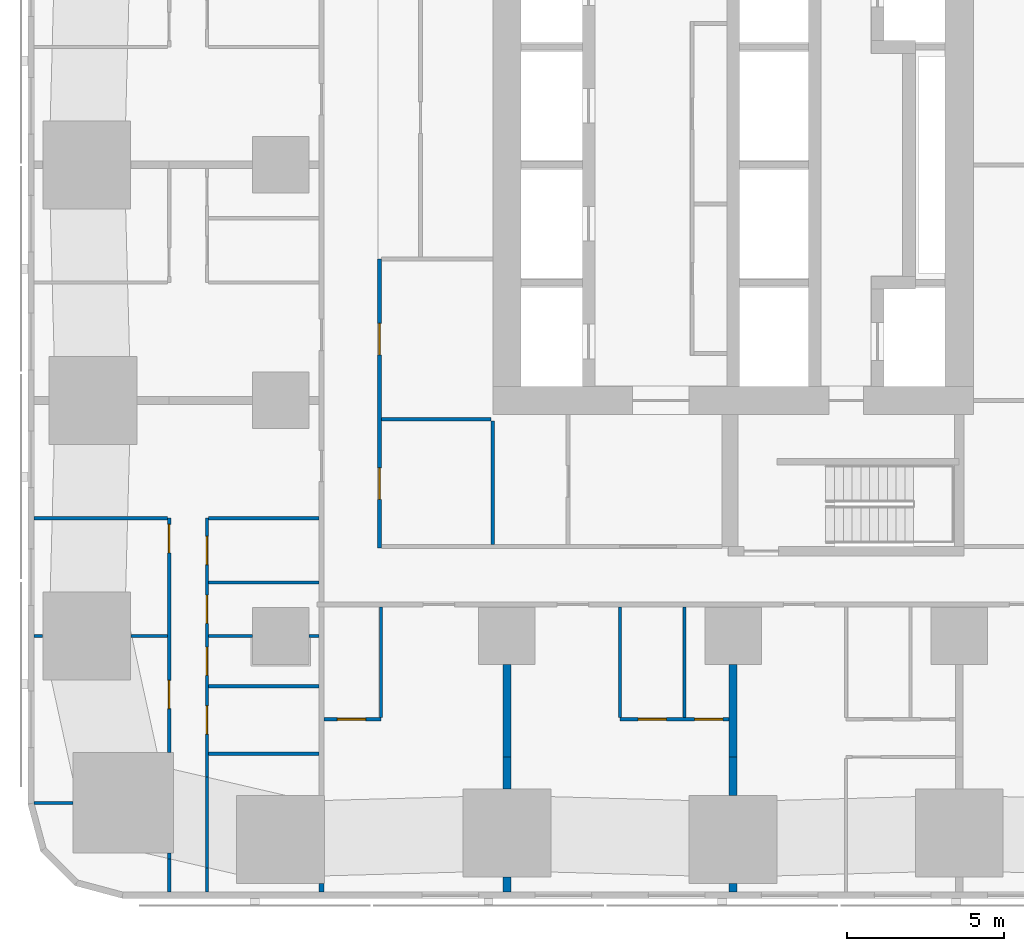
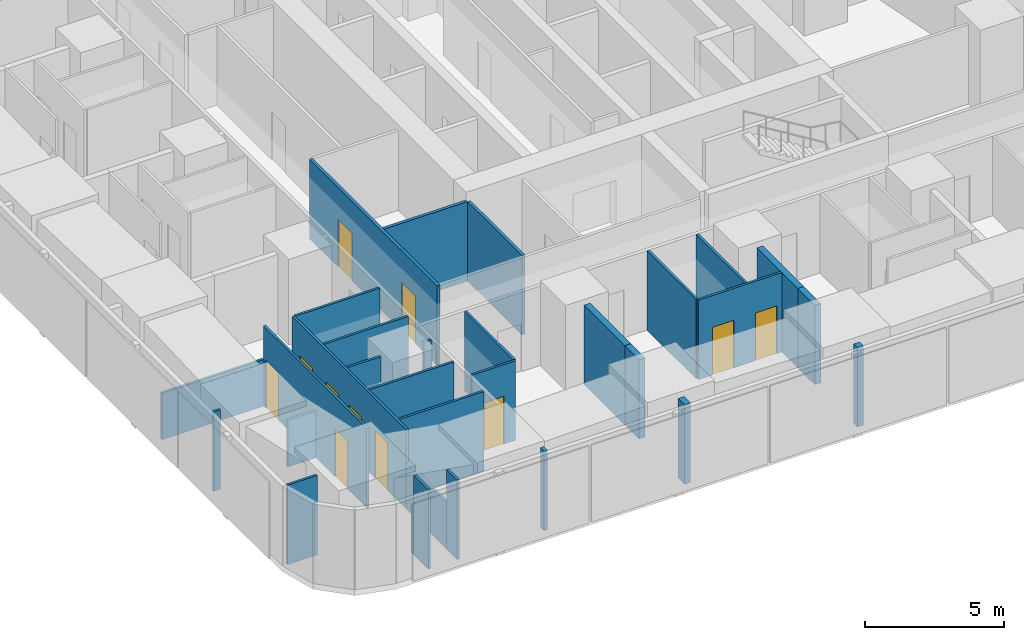
# One storey, part 2 of 15: 31 walls, 11 doors, 11 openings.
"""IFC4 building model written with IfcOpenShell, lengths in metres."""

from ifc_helpers import new_model, si_unit, direction, frame, frame_2d, origin, place, context, subcontext, project, spatial, rectangle, extrude, material, layer, layer_set, type_object, element, fill, save


model = new_model("IFC4")

# Units and contexts
model_context = context("Model", 3, precision=1e-05, world=origin(), true_north=direction((0.0, 1.0)))
body_context = subcontext(model_context, "Body", "Model", "MODEL_VIEW")
ifc_project = project(units=[si_unit("LENGTHUNIT", "METRE"), si_unit("AREAUNIT", "SQUARE_METRE"), si_unit("VOLUMEUNIT", "CUBIC_METRE"), si_unit("PLANEANGLEUNIT", "RADIAN"), si_unit("MASSUNIT", "GRAM", prefix="KILO")], contexts=[model_context])

# Site, building, storey
site_placement = place(None, origin())
site = spatial("IfcSite", under=ifc_project, at=site_placement, CompositionType="ELEMENT")
building_placement = place(site_placement, origin())
building = spatial("IfcBuilding", under=site, at=building_placement, Name="Sheger Commons Tower", CompositionType="ELEMENT")
storey_placement = place(building_placement, frame((0.0, 0.0, 46.25)))
storey = spatial("IfcBuildingStorey", under=building, at=storey_placement, Name="L11", CompositionType="ELEMENT", Elevation=46.25)

# Walls
ifc_material_1 = material(Name="Hollow concrete block masonry, skimmed both sides", Category="masonry")
ifc_layer_1 = layer(ifc_material_1, 0.14990234375)
ifc_layer_set_1 = layer_set([ifc_layer_1], Name="CORRIDOR WALL 150")
wall_type_1 = type_object("IfcWallType", Name="CORRIDOR WALL 150", PredefinedType="SOLIDWALL", material=ifc_layer_set_1)
wall_1_placement = place(storey_placement, frame((8.5, -0.64990234375, 0.0), z_axis=(0.0, 0.0, 1.0), x_axis=(0.0, 1.0, 0.0)))
element("IfcWall", 1, at=wall_1_placement, inside=storey, type_object=wall_type_1, Name="Corridor wall L11", PredefinedType="SOLIDWALL", context=body_context, shape_type="SweptSolid", body=[
    extrude(rectangle(XDim=0.27392578125, YDim=0.14990234375, at=frame_2d((0.136962890625, 0.0))), origin(), (0.0, 0.0, 1.0), 3.5),
])
ifc_material_2 = material(Name="Dense concrete block masonry, plastered both sides (separating wall between flats)", Category="masonry")
ifc_layer_2 = layer(ifc_material_2, 0.25)
ifc_layer_set_2 = layer_set([ifc_layer_2], Name="DEMISING WALL 250")
wall_type_2 = type_object("IfcWallType", Name="DEMISING WALL 250", PredefinedType="SOLIDWALL", material=ifc_layer_set_2)
wall_2_placement = place(storey_placement, frame((14.39990234375, -0.64990234375, 0.0), z_axis=(0.0, 0.0, 1.0), x_axis=(0.0, 1.0, 0.0)))
element("IfcWall", 2, at=wall_2_placement, inside=storey, type_object=wall_type_2, Name="Demising wall L11", PredefinedType="SOLIDWALL", context=body_context, shape_type="SweptSolid", body=[
    extrude(rectangle(XDim=0.473876953125, YDim=0.25, at=frame_2d((0.23681640625, 0.0))), origin(), (0.0, 0.0, 1.0), 3.5),
])
wall_3_placement = place(storey_placement, frame((14.39990234375, 2.6259765625, 0.0), z_axis=(0.0, 0.0, 1.0), x_axis=(0.0, 1.0, 0.0)))
element("IfcWall", 3, at=wall_3_placement, inside=storey, type_object=wall_type_2, Name="Demising wall L11", PredefinedType="SOLIDWALL", context=body_context, shape_type="SweptSolid", body=[
    extrude(rectangle(XDim=1.02392578125, YDim=0.25, at=frame_2d((0.511962890625, 0.0))), origin(), (0.0, 0.0, 1.0), 3.5),
])
wall_4_placement = place(storey_placement, frame((14.39990234375, 3.64990234375, 0.0), z_axis=(0.0, 0.0, 1.0), x_axis=(0.0, 1.0, 0.0)))
element("IfcWall", 4, at=wall_4_placement, inside=storey, type_object=wall_type_2, Name="Demising wall L11", PredefinedType="SOLIDWALL", context=body_context, shape_type="SweptSolid", body=[
    extrude(rectangle(XDim=2.94921875, YDim=0.25, at=frame_2d((1.474609375, 0.0))), origin(), (0.0, 0.0, 1.0), 3.5),
])
wall_5_placement = place(storey_placement, frame((21.60009765625, -0.64990234375, 0.0), z_axis=(0.0, 0.0, 1.0), x_axis=(0.0, 1.0, 0.0)))
element("IfcWall", 5, at=wall_5_placement, inside=storey, type_object=wall_type_2, Name="Demising wall L11", PredefinedType="SOLIDWALL", context=body_context, shape_type="SweptSolid", body=[
    extrude(rectangle(XDim=0.27392578125, YDim=0.25, at=frame_2d((0.136962890625, 0.0))), origin(), (0.0, 0.0, 1.0), 3.5),
])
wall_6_placement = place(storey_placement, frame((21.60009765625, 2.426025390625, 0.0), z_axis=(0.0, 0.0, 1.0), x_axis=(0.0, 1.0, 0.0)))
element("IfcWall", 6, at=wall_6_placement, inside=storey, type_object=wall_type_2, Name="Demising wall L11", PredefinedType="SOLIDWALL", context=body_context, shape_type="SweptSolid", body=[
    extrude(rectangle(XDim=1.223876953125, YDim=0.25, at=frame_2d((0.61181640625, 0.0))), origin(), (0.0, 0.0, 1.0), 3.5),
])
wall_7_placement = place(storey_placement, frame((21.60009765625, 3.64990234375, 0.0), z_axis=(0.0, 0.0, 1.0), x_axis=(0.0, 1.0, 0.0)))
element("IfcWall", 7, at=wall_7_placement, inside=storey, type_object=wall_type_2, Name="Demising wall L11", PredefinedType="SOLIDWALL", context=body_context, shape_type="SweptSolid", body=[
    extrude(rectangle(XDim=2.94921875, YDim=0.25, at=frame_2d((1.474609375, 0.0))), origin(), (0.0, 0.0, 1.0), 3.5),
])
ifc_material_3 = material(Name="Gypsum board on steel studs", Category="steel")
ifc_layer_3 = layer(ifc_material_3, 0.10009765625)
ifc_layer_set_3 = layer_set([ifc_layer_3], Name="PARTITION 100")
wall_type_3 = type_object("IfcWallType", Name="PARTITION 100", PredefinedType="PARTITIONING", material=ifc_layer_set_3)
wall_8_placement = place(storey_placement, frame((3.64990234375, -0.64990234375, 0.0), z_axis=(0.0, 0.0, 1.0), x_axis=(0.0, 1.0, 0.0)))
element("IfcWall", 8, at=wall_8_placement, inside=storey, type_object=wall_type_3, Name="Partition L11", PredefinedType="PARTITIONING", context=body_context, shape_type="SweptSolid", body=[
    extrude(rectangle(XDim=1.0478515625, YDim=0.10009765625, at=frame_2d((0.52392578125, 0.0))), origin(), (0.0, 0.0, 1.0), 3.5),
])
wall_9_placement = place(storey_placement, frame((3.64990234375, 0.39794921875, 0.0), z_axis=(0.0, 0.0, 1.0), x_axis=(0.0, 1.0, 0.0)))
element("IfcWall", 9, at=wall_9_placement, inside=storey, type_object=wall_type_3, Name="Partition L11", PredefinedType="PARTITIONING", context=body_context, shape_type="SweptSolid", body=[
    extrude(rectangle(XDim=0.18701171875, YDim=0.10009765625, at=frame_2d((0.093505859375, 0.0))), origin(), (0.0, 0.0, 1.0), 2.050048828125),
])

# Wall, openings, doors
wall_10_placement = place(storey_placement, frame((3.64990234375, 3.787109375, 0.0), z_axis=(0.0, 0.0, 1.0), x_axis=(0.0, 1.0, 0.0)))
wall_10 = element("IfcWall", 10, at=wall_10_placement, inside=storey, type_object=wall_type_3, Name="Partition L11", PredefinedType="PARTITIONING", context=body_context, shape_type="SweptSolid", body=[
    extrude(rectangle(XDim=7.462890625, YDim=0.10009765625, at=frame_2d((3.7314453125, 0.0))), origin(), (0.0, 0.0, 1.0), 3.5),
])
opening_1_placement = place(wall_10_placement, frame((6.363037109375, 0.0, 0.0)))
opening_1 = element("IfcOpeningElement", 11, at=opening_1_placement, cuts=wall_10, Name="Opening D2", PredefinedType="OPENING", context=body_context, shape_type="SweptSolid", body=[
    extrude(rectangle(XDim=0.89990234375, YDim=2.10009765625, at=frame_2d((0.449951171875, 1.050048828125))), frame((0.0, 0.06005859375, 0.0), z_axis=(0.0, -1.0, 0.0), x_axis=(1.0, 0.0, 0.0)), (0.0, 0.0, 1.0), 0.1201171875),
])
opening_2_placement = place(wall_10_placement, frame((1.39990234375, 0.0, 0.0)))
opening_2 = element("IfcOpeningElement", 12, at=opening_2_placement, cuts=wall_10, Name="Opening D2", PredefinedType="OPENING", context=body_context, shape_type="SweptSolid", body=[
    extrude(rectangle(XDim=0.89990234375, YDim=2.10009765625, at=frame_2d((0.449951171875, 1.050048828125))), frame((0.0, 0.06005859375, 0.0), z_axis=(0.0, -1.0, 0.0), x_axis=(1.0, 0.0, 0.0)), (0.0, 0.0, 1.0), 0.1201171875),
])
ifc_material_4 = material(Name="Timber door set", Category="wood")
door_type_1 = type_object("IfcDoorType", Name="INTERNAL DOOR 900x2100", OperationType="NOTDEFINED", PredefinedType="DOOR", material=ifc_material_4)
door_1_placement = place(opening_1_placement, origin())
door_1 = element("IfcDoor", 13, at=door_1_placement, inside=storey, type_object=door_type_1, Name="Main bedroom door", OperationType="SINGLE_SWING_RIGHT", OverallHeight=2.10009765625, OverallWidth=0.89990234375, PredefinedType="DOOR", context=body_context, shape_type="SweptSolid", body=[
    extrude(rectangle(XDim=0.89990234375, YDim=2.10009765625, at=frame_2d((0.449951171875, 1.050048828125))), frame((0.0, 0.02490234375, 0.0), z_axis=(0.0, -1.0, 0.0), x_axis=(1.0, 0.0, 0.0)), (0.0, 0.0, 1.0), 0.050048828125),
])
fill(opening_1, door_1)
door_2_placement = place(opening_2_placement, origin())
door_2 = element("IfcDoor", 14, at=door_2_placement, inside=storey, type_object=door_type_1, Name="Bedroom 2 door", OperationType="SINGLE_SWING_LEFT", OverallHeight=2.10009765625, OverallWidth=0.89990234375, PredefinedType="DOOR", context=body_context, shape_type="SweptSolid", body=[
    extrude(rectangle(XDim=0.89990234375, YDim=2.10009765625, at=frame_2d((0.449951171875, 1.050048828125))), frame((0.0, 0.02490234375, 0.0), z_axis=(0.0, -1.0, 0.0), x_axis=(1.0, 0.0, 0.0)), (0.0, 0.0, 1.0), 0.050048828125),
])
fill(opening_2, door_2)

# Walls
wall_11_placement = place(storey_placement, frame((4.85009765625, -0.64990234375, 0.0), z_axis=(0.0, 0.0, 1.0), x_axis=(0.0, 1.0, 0.0)))
element("IfcWall", 15, at=wall_11_placement, inside=storey, type_object=wall_type_3, Name="Partition L11", PredefinedType="PARTITIONING", context=body_context, shape_type="SweptSolid", body=[
    extrude(rectangle(XDim=0.77099609375, YDim=0.10009765625, at=frame_2d((0.385498046875, 0.0))), origin(), (0.0, 0.0, 1.0), 3.5),
])
wall_12_placement = place(storey_placement, frame((4.85009765625, 0.12109375, 0.0), z_axis=(0.0, 0.0, 1.0), x_axis=(0.0, 1.0, 0.0)))
element("IfcWall", 16, at=wall_12_placement, inside=storey, type_object=wall_type_3, Name="Partition L11", PredefinedType="PARTITIONING", context=body_context, shape_type="SweptSolid", body=[
    extrude(rectangle(XDim=2.89697265625, YDim=0.10009765625, at=frame_2d((1.448486328125, 0.0))), origin(), (0.0, 0.0, 1.0), 2.050048828125),
])

# Wall, openings, doors
wall_13_placement = place(storey_placement, frame((4.85009765625, 3.01806640625, 0.0), z_axis=(0.0, 0.0, 1.0), x_axis=(0.0, 1.0, 0.0)))
wall_13 = element("IfcWall", 17, at=wall_13_placement, inside=storey, type_object=wall_type_3, Name="Partition L11", PredefinedType="PARTITIONING", context=body_context, shape_type="SweptSolid", body=[
    extrude(rectangle(XDim=8.23193359375, YDim=0.10009765625, at=frame_2d((4.115966796875, 0.0))), origin(), (0.0, 0.0, 1.0), 3.5),
])
opening_3_placement = place(wall_13_placement, frame((6.757080078125, 0.0, 0.0)))
opening_3 = element("IfcOpeningElement", 18, at=opening_3_placement, cuts=wall_13, Name="Opening D2", PredefinedType="OPENING", context=body_context, shape_type="SweptSolid", body=[
    extrude(rectangle(XDim=0.89990234375, YDim=2.10009765625, at=frame_2d((0.449951171875, 1.050048828125))), frame((0.0, 0.06005859375, 0.0), z_axis=(0.0, -1.0, 0.0), x_axis=(1.0, 0.0, 0.0)), (0.0, 0.0, 1.0), 0.1201171875),
])
opening_4_placement = place(wall_13_placement, frame((3.23193359375, 0.0, 0.0)))
opening_4 = element("IfcOpeningElement", 19, at=opening_4_placement, cuts=wall_13, Name="Opening D2", PredefinedType="OPENING", context=body_context, shape_type="SweptSolid", body=[
    extrude(rectangle(XDim=0.89990234375, YDim=2.10009765625, at=frame_2d((0.449951171875, 1.050048828125))), frame((0.0, 0.06005859375, 0.0), z_axis=(0.0, -1.0, 0.0), x_axis=(1.0, 0.0, 0.0)), (0.0, 0.0, 1.0), 0.1201171875),
])
opening_5_placement = place(wall_13_placement, frame((4.882080078125, 0.0, 0.0)))
opening_5 = element("IfcOpeningElement", 20, at=opening_5_placement, cuts=wall_13, Name="Opening D2", PredefinedType="OPENING", context=body_context, shape_type="SweptSolid", body=[
    extrude(rectangle(XDim=0.89990234375, YDim=2.10009765625, at=frame_2d((0.449951171875, 1.050048828125))), frame((0.0, 0.06005859375, 0.0), z_axis=(0.0, -1.0, 0.0), x_axis=(1.0, 0.0, 0.0)), (0.0, 0.0, 1.0), 0.1201171875),
])
opening_6_placement = place(wall_13_placement, frame((1.35693359375, 0.0, 0.0)))
opening_6 = element("IfcOpeningElement", 21, at=opening_6_placement, cuts=wall_13, Name="Opening D2", PredefinedType="OPENING", context=body_context, shape_type="SweptSolid", body=[
    extrude(rectangle(XDim=0.89990234375, YDim=2.10009765625, at=frame_2d((0.449951171875, 1.050048828125))), frame((0.0, 0.06005859375, 0.0), z_axis=(0.0, -1.0, 0.0), x_axis=(1.0, 0.0, 0.0)), (0.0, 0.0, 1.0), 0.1201171875),
])
door_3_placement = place(opening_3_placement, origin())
door_3 = element("IfcDoor", 22, at=door_3_placement, inside=storey, type_object=door_type_1, Name="Bathroom door", OperationType="SINGLE_SWING_LEFT", OverallHeight=2.10009765625, OverallWidth=0.89990234375, PredefinedType="DOOR", context=body_context, shape_type="SweptSolid", body=[
    extrude(rectangle(XDim=0.89990234375, YDim=2.10009765625, at=frame_2d((0.449951171875, 1.050048828125))), frame((0.0, 0.02490234375, 0.0), z_axis=(0.0, -1.0, 0.0), x_axis=(1.0, 0.0, 0.0)), (0.0, 0.0, 1.0), 0.050048828125),
])
fill(opening_3, door_3)
door_4_placement = place(opening_4_placement, origin())
door_4 = element("IfcDoor", 23, at=door_4_placement, inside=storey, type_object=door_type_1, Name="Shower room door", OperationType="SINGLE_SWING_LEFT", OverallHeight=2.10009765625, OverallWidth=0.89990234375, PredefinedType="DOOR", context=body_context, shape_type="SweptSolid", body=[
    extrude(rectangle(XDim=0.89990234375, YDim=2.10009765625, at=frame_2d((0.449951171875, 1.050048828125))), frame((0.0, 0.02490234375, 0.0), z_axis=(0.0, -1.0, 0.0), x_axis=(1.0, 0.0, 0.0)), (0.0, 0.0, 1.0), 0.050048828125),
])
fill(opening_4, door_4)
door_5_placement = place(opening_5_placement, origin())
door_5 = element("IfcDoor", 24, at=door_5_placement, inside=storey, type_object=door_type_1, Name="Store door", OperationType="SINGLE_SWING_LEFT", OverallHeight=2.10009765625, OverallWidth=0.89990234375, PredefinedType="DOOR", context=body_context, shape_type="SweptSolid", body=[
    extrude(rectangle(XDim=0.89990234375, YDim=2.10009765625, at=frame_2d((0.449951171875, 1.050048828125))), frame((0.0, 0.02490234375, 0.0), z_axis=(0.0, -1.0, 0.0), x_axis=(1.0, 0.0, 0.0)), (0.0, 0.0, 1.0), 0.050048828125),
])
fill(opening_5, door_5)
door_6_placement = place(opening_6_placement, origin())
door_6 = element("IfcDoor", 25, at=door_6_placement, inside=storey, type_object=door_type_1, Name="Store door", OperationType="SINGLE_SWING_RIGHT", OverallHeight=2.10009765625, OverallWidth=0.89990234375, PredefinedType="DOOR", context=body_context, shape_type="SweptSolid", body=[
    extrude(rectangle(XDim=0.89990234375, YDim=2.10009765625, at=frame_2d((0.449951171875, 1.050048828125))), frame((0.0, 0.02490234375, 0.0), z_axis=(0.0, -1.0, 0.0), x_axis=(1.0, 0.0, 0.0)), (0.0, 0.0, 1.0), 0.050048828125),
])
fill(opening_6, door_6)

# Walls
wall_14_placement = place(storey_placement, frame((-0.64990234375, 2.18603515625, 0.0), z_axis=(0.0, 0.0, 1.0), x_axis=(1.0, 0.0, 0.0)))
element("IfcWall", 26, at=wall_14_placement, inside=storey, type_object=wall_type_3, Name="Partition L11", PredefinedType="PARTITIONING", context=body_context, shape_type="SweptSolid", body=[
    extrude(rectangle(XDim=1.23486328125, YDim=0.10009765625, at=frame_2d((0.617431640625, 0.0))), origin(), (0.0, 0.0, 1.0), 3.5),
])
wall_15_placement = place(storey_placement, frame((-0.64990234375, 7.5, 0.0), z_axis=(0.0, 0.0, 1.0), x_axis=(1.0, 0.0, 0.0)))
element("IfcWall", 27, at=wall_15_placement, inside=storey, type_object=wall_type_3, Name="Partition L11", PredefinedType="PARTITIONING", context=body_context, shape_type="SweptSolid", body=[
    extrude(rectangle(XDim=0.27392578125, YDim=0.10009765625, at=frame_2d((0.136962890625, 0.0))), origin(), (0.0, 0.0, 1.0), 3.5),
])
wall_16_placement = place(storey_placement, frame((2.426025390625, 7.5, 0.0), z_axis=(0.0, 0.0, 1.0), x_axis=(1.0, 0.0, 0.0)))
element("IfcWall", 28, at=wall_16_placement, inside=storey, type_object=wall_type_3, Name="Partition L11", PredefinedType="PARTITIONING", context=body_context, shape_type="SweptSolid", body=[
    extrude(rectangle(XDim=1.174072265625, YDim=0.10009765625, at=frame_2d((0.5869140625, 0.0))), origin(), (0.0, 0.0, 1.0), 2.050048828125),
])
wall_17_placement = place(storey_placement, frame((-0.64990234375, 11.25, 0.0), z_axis=(0.0, 0.0, 1.0), x_axis=(1.0, 0.0, 0.0)))
element("IfcWall", 29, at=wall_17_placement, inside=storey, type_object=wall_type_3, Name="Partition L11", PredefinedType="PARTITIONING", context=body_context, shape_type="SweptSolid", body=[
    extrude(rectangle(XDim=4.25, YDim=0.10009765625, at=frame_2d((2.125, 0.0))), origin(), (0.0, 0.0, 1.0), 2.050048828125),
])
wall_18_placement = place(storey_placement, frame((4.89990234375, 3.75, 0.0), z_axis=(0.0, 0.0, 1.0), x_axis=(1.0, 0.0, 0.0)))
element("IfcWall", 30, at=wall_18_placement, inside=storey, type_object=wall_type_3, Name="Partition L11", PredefinedType="PARTITIONING", context=body_context, shape_type="SweptSolid", body=[
    extrude(rectangle(XDim=3.525146484375, YDim=0.10009765625, at=frame_2d((1.7626953125, 0.0))), origin(), (0.0, 0.0, 1.0), 3.5),
])
wall_19_placement = place(storey_placement, frame((4.89990234375, 7.5, 0.0), z_axis=(0.0, 0.0, 1.0), x_axis=(1.0, 0.0, 0.0)))
element("IfcWall", 31, at=wall_19_placement, inside=storey, type_object=wall_type_3, Name="Partition L11", PredefinedType="PARTITIONING", context=body_context, shape_type="SweptSolid", body=[
    extrude(rectangle(XDim=1.399169921875, YDim=0.10009765625, at=frame_2d((0.69970703125, 0.0))), origin(), (0.0, 0.0, 1.0), 3.5),
])
wall_20_placement = place(storey_placement, frame((8.10107421875, 7.5, 0.0), z_axis=(0.0, 0.0, 1.0), x_axis=(1.0, 0.0, 0.0)))
element("IfcWall", 32, at=wall_20_placement, inside=storey, type_object=wall_type_3, Name="Partition L11", PredefinedType="PARTITIONING", context=body_context, shape_type="SweptSolid", body=[
    extrude(rectangle(XDim=0.323974609375, YDim=0.10009765625, at=frame_2d((0.162109375, 0.0))), origin(), (0.0, 0.0, 1.0), 3.5),
])
for number, where, z_axis, x_axis, name in (
    (33, (4.89990234375, 11.25, 0.0), (0.0, 0.0, 1.0), (1.0, 0.0, 0.0), "Partition L11"),
    (34, (4.89990234375, 9.199951171875, 0.0), (0.0, 0.0, 1.0), (1.0, 0.0, 0.0), "Partition L11"),
    (35, (4.89990234375, 5.89990234375, 0.0), (0.0, 0.0, 1.0), (1.0, 0.0, 0.0), "Partition L11"),
):
    element("IfcWall", number, at=place(storey_placement, frame(where, z_axis=z_axis, x_axis=x_axis)), inside=storey, type_object=wall_type_3, Name=name, PredefinedType="PARTITIONING", context=body_context, shape_type="SweptSolid", body=[
        extrude(rectangle(XDim=3.525146484375, YDim=0.10009765625, at=frame_2d((1.7626953125, 0.0))), origin(), (0.0, 0.0, 1.0), 3.5),
    ])

# Wall, opening, door
wall_21_placement = place(storey_placement, frame((10.389892578125, 4.85009765625, 0.0), z_axis=(0.0, 0.0, 1.0), x_axis=(-1.0, 0.0, 0.0)))
wall_21 = element("IfcWall", 36, at=wall_21_placement, inside=storey, type_object=wall_type_3, Name="Partition L11", PredefinedType="PARTITIONING", context=body_context, shape_type="SweptSolid", body=[
    extrude(rectangle(XDim=1.81494140625, YDim=0.10009765625, at=frame_2d((0.907470703125, 0.0))), origin(), (0.0, 0.0, 1.0), 3.5),
])
opening_7_placement = place(wall_21_placement, frame((0.489990234375, 0.0, 0.0)))
opening_7 = element("IfcOpeningElement", 37, at=opening_7_placement, cuts=wall_21, Name="Opening D2", PredefinedType="OPENING", context=body_context, shape_type="SweptSolid", body=[
    extrude(rectangle(XDim=0.89990234375, YDim=2.10009765625, at=frame_2d((0.449951171875, 1.050048828125))), frame((0.0, 0.06005859375, 0.0), z_axis=(0.0, -1.0, 0.0), x_axis=(1.0, 0.0, 0.0)), (0.0, 0.0, 1.0), 0.1201171875),
])
door_7_placement = place(opening_7_placement, origin())
door_7 = element("IfcDoor", 38, at=door_7_placement, inside=storey, type_object=door_type_1, Name="Shower room door", OperationType="SINGLE_SWING_LEFT", OverallHeight=2.10009765625, OverallWidth=0.89990234375, PredefinedType="DOOR", context=body_context, shape_type="SweptSolid", body=[
    extrude(rectangle(XDim=0.89990234375, YDim=2.10009765625, at=frame_2d((0.449951171875, 1.050048828125))), frame((0.0, 0.02490234375, 0.0), z_axis=(0.0, -1.0, 0.0), x_axis=(1.0, 0.0, 0.0)), (0.0, 0.0, 1.0), 0.050048828125),
])
fill(opening_7, door_7)

# Wall
wall_22_placement = place(storey_placement, frame((10.389892578125, 4.89990234375, 0.0), z_axis=(0.0, 0.0, 1.0), x_axis=(0.0, 1.0, 0.0)))
element("IfcWall", 39, at=wall_22_placement, inside=storey, type_object=wall_type_3, Name="Partition L11", PredefinedType="PARTITIONING", context=body_context, shape_type="SweptSolid", body=[
    extrude(rectangle(XDim=3.525146484375, YDim=0.10009765625, at=frame_2d((1.7626953125, 0.0))), origin(), (0.0, 0.0, 1.0), 3.5),
])

# Wall, openings, doors
wall_23_placement = place(storey_placement, frame((21.47509765625, 4.85009765625, 0.0), z_axis=(0.0, 0.0, 1.0), x_axis=(-1.0, 0.0, 0.0)))
wall_23 = element("IfcWall", 40, at=wall_23_placement, inside=storey, type_object=wall_type_3, Name="Partition L11", PredefinedType="PARTITIONING", context=body_context, shape_type="SweptSolid", body=[
    extrude(rectangle(XDim=3.47509765625, YDim=0.10009765625, at=frame_2d((1.737548828125, 0.0))), origin(), (0.0, 0.0, 1.0), 3.5),
])
opening_8_placement = place(wall_23_placement, frame((2.0, 0.0, 0.0)))
opening_8 = element("IfcOpeningElement", 41, at=opening_8_placement, cuts=wall_23, Name="Opening D2", PredefinedType="OPENING", context=body_context, shape_type="SweptSolid", body=[
    extrude(rectangle(XDim=0.89990234375, YDim=2.10009765625, at=frame_2d((0.449951171875, 1.050048828125))), frame((0.0, 0.06005859375, 0.0), z_axis=(0.0, -1.0, 0.0), x_axis=(1.0, 0.0, 0.0)), (0.0, 0.0, 1.0), 0.1201171875),
])
opening_9_placement = place(wall_23_placement, frame((0.199951171875, 0.0, 0.0)))
opening_9 = element("IfcOpeningElement", 42, at=opening_9_placement, cuts=wall_23, Name="Opening D2", PredefinedType="OPENING", context=body_context, shape_type="SweptSolid", body=[
    extrude(rectangle(XDim=0.89990234375, YDim=2.10009765625, at=frame_2d((0.449951171875, 1.050048828125))), frame((0.0, 0.06005859375, 0.0), z_axis=(0.0, -1.0, 0.0), x_axis=(1.0, 0.0, 0.0)), (0.0, 0.0, 1.0), 0.1201171875),
])
door_8_placement = place(opening_8_placement, origin())
door_8 = element("IfcDoor", 43, at=door_8_placement, inside=storey, type_object=door_type_1, Name="Bathroom door", OperationType="SINGLE_SWING_LEFT", OverallHeight=2.10009765625, OverallWidth=0.89990234375, PredefinedType="DOOR", context=body_context, shape_type="SweptSolid", body=[
    extrude(rectangle(XDim=0.89990234375, YDim=2.10009765625, at=frame_2d((0.449951171875, 1.050048828125))), frame((0.0, 0.02490234375, 0.0), z_axis=(0.0, -1.0, 0.0), x_axis=(1.0, 0.0, 0.0)), (0.0, 0.0, 1.0), 0.050048828125),
])
fill(opening_8, door_8)
door_9_placement = place(opening_9_placement, origin())
door_9 = element("IfcDoor", 44, at=door_9_placement, inside=storey, type_object=door_type_1, Name="Store door", OperationType="SINGLE_SWING_RIGHT", OverallHeight=2.10009765625, OverallWidth=0.89990234375, PredefinedType="DOOR", context=body_context, shape_type="SweptSolid", body=[
    extrude(rectangle(XDim=0.89990234375, YDim=2.10009765625, at=frame_2d((0.449951171875, 1.050048828125))), frame((0.0, 0.02490234375, 0.0), z_axis=(0.0, -1.0, 0.0), x_axis=(1.0, 0.0, 0.0)), (0.0, 0.0, 1.0), 0.050048828125),
])
fill(opening_9, door_9)

# Walls
for number, where, z_axis, x_axis, name in (
    (45, (18.0, 4.89990234375, 0.0), (0.0, 0.0, 1.0), (0.0, 1.0, 0.0), "Partition L11"),
    (46, (20.050048828125, 4.89990234375, 0.0), (0.0, 0.0, 1.0), (0.0, 1.0, 0.0), "Partition L11"),
):
    element("IfcWall", number, at=place(storey_placement, frame(where, z_axis=z_axis, x_axis=x_axis)), inside=storey, type_object=wall_type_3, Name=name, PredefinedType="PARTITIONING", context=body_context, shape_type="SweptSolid", body=[
        extrude(rectangle(XDim=3.525146484375, YDim=0.10009765625, at=frame_2d((1.7626953125, 0.0))), origin(), (0.0, 0.0, 1.0), 3.5),
    ])

# Wall, openings, doors
ifc_material_5 = material(Name="Gypsum board on steel studs, two layers each side, fire rated", Category="steel")
ifc_layer_4 = layer(ifc_material_5, 0.125)
ifc_layer_set_4 = layer_set([ifc_layer_4], Name="SERVICE WALL 125")
wall_type_4 = type_object("IfcWallType", Name="SERVICE WALL 125", PredefinedType="PARTITIONING", material=ifc_layer_set_4)
wall_24_placement = place(storey_placement, frame((10.35009765625, 10.300048828125, 0.0), z_axis=(0.0, 0.0, 1.0), x_axis=(0.0, 1.0, 0.0)))
wall_24 = element("IfcWall", 47, at=wall_24_placement, inside=storey, type_object=wall_type_4, Name="Service room wall L11", PredefinedType="PARTITIONING", context=body_context, shape_type="SweptSolid", body=[
    extrude(rectangle(XDim=9.199951171875, YDim=0.125, at=frame_2d((4.60009765625, 0.0))), origin(), (0.0, 0.0, 1.0), 3.5),
])
opening_10_placement = place(wall_24_placement, frame((1.550048828125, 0.0, 0.0)))
opening_10 = element("IfcOpeningElement", 48, at=opening_10_placement, cuts=wall_24, Name="Opening D4", PredefinedType="OPENING", context=body_context, shape_type="SweptSolid", body=[
    extrude(rectangle(XDim=1.0, YDim=2.10009765625, at=frame_2d((0.5, 1.050048828125))), frame((0.0, 0.072509765625, 0.0), z_axis=(0.0, -1.0, 0.0), x_axis=(1.0, 0.0, 0.0)), (0.0, 0.0, 1.0), 0.14501953125),
])
opening_11_placement = place(wall_24_placement, frame((6.14990234375, 0.0, 0.0)))
opening_11 = element("IfcOpeningElement", 49, at=opening_11_placement, cuts=wall_24, Name="Opening D4", PredefinedType="OPENING", context=body_context, shape_type="SweptSolid", body=[
    extrude(rectangle(XDim=1.0, YDim=2.10009765625, at=frame_2d((0.5, 1.050048828125))), frame((0.0, 0.072509765625, 0.0), z_axis=(0.0, -1.0, 0.0), x_axis=(1.0, 0.0, 0.0)), (0.0, 0.0, 1.0), 0.14501953125),
])
ifc_material_6 = material(Name="Steel door set, fire rated", Category="steel")
door_type_2 = type_object("IfcDoorType", Name="SERVICE DOOR 1000x2100", OperationType="NOTDEFINED", PredefinedType="DOOR", material=ifc_material_6)
door_10_placement = place(opening_10_placement, origin())
door_10 = element("IfcDoor", 50, at=door_10_placement, inside=storey, type_object=door_type_2, Name="Refuse chute room door", OperationType="SINGLE_SWING_RIGHT", OverallHeight=2.10009765625, OverallWidth=1.0, PredefinedType="DOOR", context=body_context, shape_type="SweptSolid", body=[
    extrude(rectangle(XDim=1.0, YDim=2.10009765625, at=frame_2d((0.5, 1.050048828125))), frame((0.0, 0.02490234375, 0.0), z_axis=(0.0, -1.0, 0.0), x_axis=(1.0, 0.0, 0.0)), (0.0, 0.0, 1.0), 0.050048828125),
])
fill(opening_10, door_10)
door_11_placement = place(opening_11_placement, origin())
door_11 = element("IfcDoor", 51, at=door_11_placement, inside=storey, type_object=door_type_2, Name="Caretaker's store door", OperationType="SINGLE_SWING_LEFT", OverallHeight=2.10009765625, OverallWidth=1.0, PredefinedType="DOOR", context=body_context, shape_type="SweptSolid", body=[
    extrude(rectangle(XDim=1.0, YDim=2.10009765625, at=frame_2d((0.5, 1.050048828125))), frame((0.0, 0.02490234375, 0.0), z_axis=(0.0, -1.0, 0.0), x_axis=(1.0, 0.0, 0.0)), (0.0, 0.0, 1.0), 0.050048828125),
])
fill(opening_11, door_11)

# Walls
wall_25_placement = place(storey_placement, frame((10.4130859375, 14.39990234375, 0.0), z_axis=(0.0, 0.0, 1.0), x_axis=(1.0, 0.0, 0.0)))
element("IfcWall", 52, at=wall_25_placement, inside=storey, type_object=wall_type_4, Name="Service room wall L11", PredefinedType="PARTITIONING", context=body_context, shape_type="SweptSolid", body=[
    extrude(rectangle(XDim=3.474853515625, YDim=0.125, at=frame_2d((1.7373046875, 0.0))), origin(), (0.0, 0.0, 1.0), 3.5),
])
wall_26_placement = place(storey_placement, frame((13.949951171875, 10.4130859375, 0.0), z_axis=(0.0, 0.0, 1.0), x_axis=(0.0, 1.0, 0.0)))
element("IfcWall", 53, at=wall_26_placement, inside=storey, type_object=wall_type_4, Name="Service room wall L11", PredefinedType="PARTITIONING", context=body_context, shape_type="SweptSolid", body=[
    extrude(rectangle(XDim=3.9248046875, YDim=0.125, at=frame_2d((1.96240234375, 0.0))), origin(), (0.0, 0.0, 1.0), 3.5),
])

save(model, "model.ifc")
